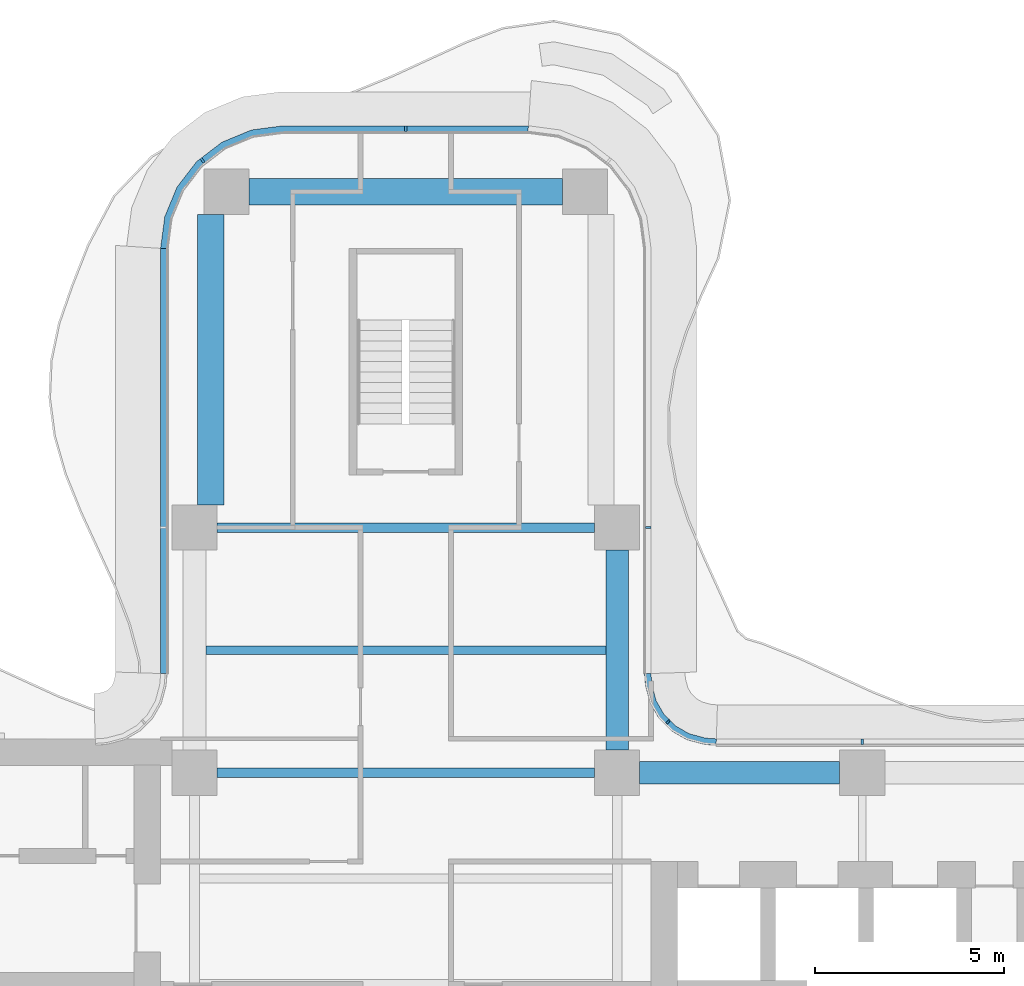
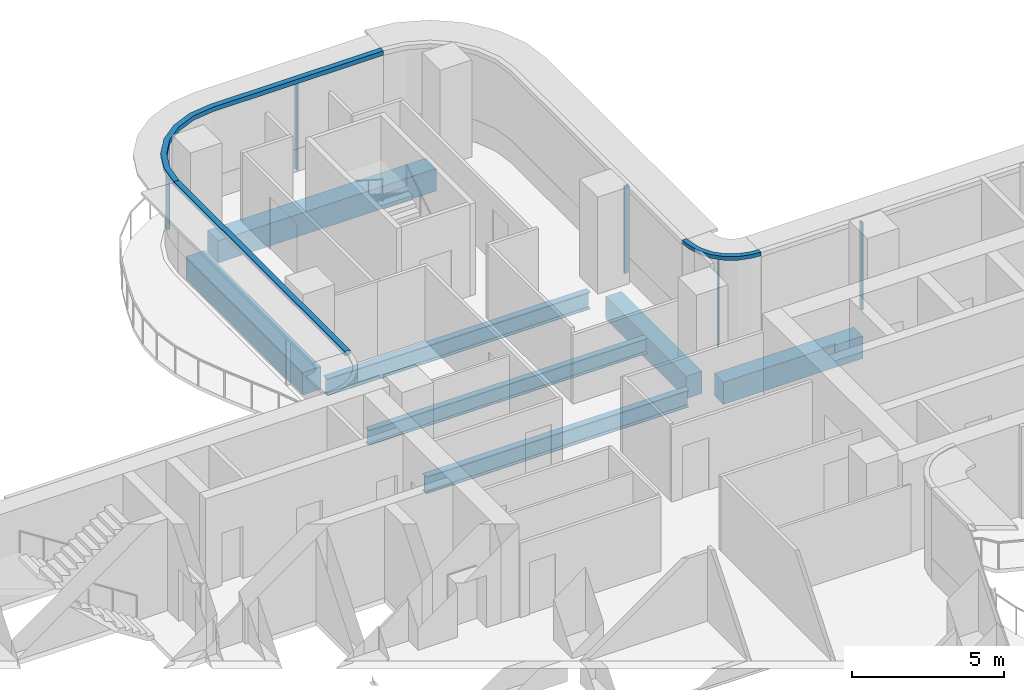
# One storey, part 8 of 19: 8 members, 7 beams, 5 elements without a shape of their own.
"""IFC4 building model written with IfcOpenShell, lengths in metres."""

from ifc_helpers import new_model, si_unit, direction, frame, origin, origin_2d, place, context, subcontext, project, spatial, polyline, rectangle, i_section, outline, extrude, source, transform, mapped, material, layer, layer_set, material_profile, profile_set, type_object, element, aggregate, save


model = new_model("IFC4")

# Units and contexts
model_context = context("Model", 3, precision=1e-05, world=origin(), true_north=direction((0.0, 1.0)))
body_context = subcontext(model_context, "Body", "Model", "MODEL_VIEW")
ifc_project = project(units=[si_unit("LENGTHUNIT", "METRE"), si_unit("AREAUNIT", "SQUARE_METRE"), si_unit("VOLUMEUNIT", "CUBIC_METRE"), si_unit("PLANEANGLEUNIT", "RADIAN"), si_unit("MASSUNIT", "GRAM", prefix="KILO")], contexts=[model_context])

# Site, building, storey
site_placement = place(None, origin())
site = spatial("IfcSite", under=ifc_project, at=site_placement, CompositionType="ELEMENT")
building_placement = place(site_placement, origin())
building = spatial("IfcBuilding", under=site, at=building_placement, Name="Trellis Farm Tower", CompositionType="ELEMENT")
storey_placement = place(building_placement, frame((0.0, 0.0, 197.10009765625)))
storey = spatial("IfcBuildingStorey", under=building, at=storey_placement, Name="L43", CompositionType="ELEMENT", Elevation=197.10009765625)

# Beams
ifc_material_1 = material(Name="Concrete C60/75", Category="concrete")
ifc_material_profile_1 = material_profile(ifc_material_1, rectangle(XDim=0.60009765625, YDim=0.89990234375, at=origin_2d()), Name="RC spandrel beam 600x900 C60/75")
ifc_profile_set_1 = profile_set([ifc_material_profile_1], Name="Concrete C60/75")
beam_type_1 = type_object("IfcBeamType", Name="RC spandrel beam 600x900 C60/75", PredefinedType="SPANDREL", material=ifc_profile_set_1)
shared_shape_1 = source(origin(), body_context, "Body", "SweptSolid", [
    extrude(rectangle(XDim=0.60009765625, YDim=0.89990234375, at=origin_2d()), origin(), (0.0, 0.0, 1.0), 5.300048828125),
])
for number, where, z_axis, x_axis, name in (
    (1, (6.199951171875, 5.60009765625, -0.650146484375), (1.0, 0.0, 0.0), (0.0, 1.0, 0.0), "Girder"),
    (2, (5.60009765625, 6.199951171875, -0.650146484375), (0.0, 1.0, 0.0), (-1.0, 0.0, 0.0), "Girder"),
):
    element("IfcBeam", number, at=place(storey_placement, frame(where, z_axis=z_axis, x_axis=x_axis)), inside=storey, type_object=beam_type_1, Name=name, PredefinedType="SPANDREL", context=body_context, shape_type="MappedRepresentation", body=[
        mapped(shared_shape_1, transform((0.0, 0.0, 0.0))),
    ])
ifc_material_2 = material(Name="Steel S355", Category="steel")
ifc_material_profile_2 = material_profile(ifc_material_2, i_section(OverallWidth=0.253662109375, OverallDepth=0.68359375, WebThickness=0.012451171875, FlangeThickness=0.021728515625, FilletRadius=0.01513671875, at=origin_2d()), Name="UB 686x254x140")
ifc_profile_set_2 = profile_set([ifc_material_profile_2], Name="Steel S355")
beam_type_2 = type_object("IfcBeamType", Name="UB 686x254x140", PredefinedType="BEAM", material=ifc_profile_set_2)
shared_shape_2 = source(origin(), body_context, "Body", "SweptSolid", [
    extrude(i_section(OverallWidth=0.253662109375, OverallDepth=0.68359375, WebThickness=0.012451171875, FlangeThickness=0.021728515625, FilletRadius=0.01513671875, at=origin_2d()), origin(), (0.0, 0.0, 1.0), 10.0),
])
for number, where, z_axis, x_axis, name in (
    (3, (-5.0, 5.60009765625, -0.541748046875), (1.0, 0.0, 0.0), (0.0, 1.0, 0.0), "Girder"),
    (4, (-5.0, 12.10009765625, -0.541748046875), (1.0, 0.0, 0.0), (0.0, 1.0, 0.0), "Girder"),
):
    element("IfcBeam", number, at=place(storey_placement, frame(where, z_axis=z_axis, x_axis=x_axis)), inside=storey, type_object=beam_type_2, Name=name, PredefinedType="BEAM", context=body_context, shape_type="MappedRepresentation", body=[
        mapped(shared_shape_2, transform((0.0, 0.0, 0.0))),
    ])
ifc_material_profile_3 = material_profile(ifc_material_1, rectangle(XDim=0.699951171875, YDim=0.89990234375, at=origin_2d()), Name="RC spandrel beam 700x900 C60/75")
ifc_profile_set_3 = profile_set([ifc_material_profile_3], Name="Concrete C60/75")
beam_type_3 = type_object("IfcBeamType", Name="RC spandrel beam 700x900 C60/75", PredefinedType="SPANDREL", material=ifc_profile_set_3)
shared_shape_3 = source(origin(), body_context, "Body", "SweptSolid", [
    extrude(rectangle(XDim=0.699951171875, YDim=0.89990234375, at=origin_2d()), origin(), (0.0, 0.0, 1.0), 8.2998046875),
])
beam_1_placement = place(storey_placement, frame((-4.14990234375, 21.0, -0.650146484375), z_axis=(1.0, 0.0, 0.0), x_axis=(0.0, 1.0, 0.0)))
element("IfcBeam", 5, at=beam_1_placement, inside=storey, type_object=beam_type_3, Name="Girder", PredefinedType="SPANDREL", context=body_context, shape_type="MappedRepresentation", body=[
    mapped(shared_shape_3, transform((0.0, 0.0, 0.0))),
])
ifc_material_profile_4 = material_profile(ifc_material_2, i_section(OverallWidth=0.22900390625, OverallDepth=0.6123046875, WebThickness=0.011962890625, FlangeThickness=0.01953125, FilletRadius=0.0126953125, at=origin_2d()), Name="UB 610x229x125")
ifc_profile_set_4 = profile_set([ifc_material_profile_4], Name="Steel S355")
beam_type_4 = type_object("IfcBeamType", Name="UB 610x229x125 joist", PredefinedType="JOIST", material=ifc_profile_set_4)
shared_shape_4 = source(origin(), body_context, "Body", "SweptSolid", [
    extrude(i_section(OverallWidth=0.22900390625, OverallDepth=0.6123046875, WebThickness=0.011962890625, FlangeThickness=0.01953125, FilletRadius=0.0126953125, at=origin_2d()), origin(), (0.0, 0.0, 1.0), 10.60009765625),
])
beam_2_placement = place(storey_placement, frame((-5.300048828125, 8.85009765625, -0.506103515625), z_axis=(1.0, 0.0, 0.0), x_axis=(0.0, 1.0, 0.0)))
element("IfcBeam", 6, at=beam_2_placement, inside=storey, type_object=beam_type_4, Name="Floor beam", PredefinedType="JOIST", context=body_context, shape_type="MappedRepresentation", body=[
    mapped(shared_shape_4, transform((0.0, 0.0, 0.0))),
])
shared_shape_5 = source(origin(), body_context, "Body", "SweptSolid", [
    extrude(rectangle(XDim=0.699951171875, YDim=0.89990234375, at=origin_2d()), origin(), (0.0, 0.0, 1.0), 7.699951171875),
])
beam_3_placement = place(storey_placement, frame((-5.175048828125, 12.699951171875, -0.650146484375), z_axis=(0.0, 1.0, 0.0), x_axis=(-1.0, 0.0, 0.0)))
element("IfcBeam", 7, at=beam_3_placement, inside=storey, type_object=beam_type_3, Name="Girder", PredefinedType="SPANDREL", context=body_context, shape_type="MappedRepresentation", body=[
    mapped(shared_shape_5, transform((0.0, 0.0, 0.0))),
])

# Curtain wall, member
ifc_material_3 = material(Name="Aluminium and glass curtain wall", Category="aluminium")
ifc_layer_1 = layer(ifc_material_3, 0.18994140625)
ifc_layer_set_1 = layer_set([ifc_layer_1], Name="RIBBON CURTAIN WALL CW1")
curtain_wall_type_1 = type_object("IfcCurtainWallType", Name="RIBBON CURTAIN WALL CW1", PredefinedType="NOTDEFINED", material=ifc_layer_set_1)
placement_1 = place(storey_placement, origin())
curtain_wall_1 = element("IfcCurtainWall", 8, at=placement_1, inside=storey, type_object=curtain_wall_type_1, Name="CW1 008", PredefinedType="NOTDEFINED")
ifc_material_4 = material(Name="Aluminium extrusion 6063-T6", Category="aluminium")
ifc_material_profile_5 = material_profile(ifc_material_4, rectangle(XDim=0.06005859375, YDim=0.14990234375, at=origin_2d()), Name="MULLION 60x150")
ifc_profile_set_5 = profile_set([ifc_material_profile_5], Name="Aluminium extrusion 6063-T6")
member_type_1 = type_object("IfcMemberType", Name="CW1 MULLION 60x150", PredefinedType="MULLION", material=ifc_profile_set_5)
shared_shape_6 = source(origin(), body_context, "Body", "SweptSolid", [
    extrude(rectangle(XDim=0.06005859375, YDim=0.14990234375, at=origin_2d()), origin(), (0.0, 0.0, 1.0), 3.52001953125),
])
member_1_placement = place(storey_placement, frame((12.10009765625, 6.425048828125, 0.0), z_axis=(0.0, 0.0, 1.0), x_axis=(-1.0, 0.0, 0.0)))
member_1 = element("IfcMember", 9, at=member_1_placement, type_object=member_type_1, Name="MU1 008-02", PredefinedType="MULLION", context=body_context, shape_type="MappedRepresentation", body=[
    mapped(shared_shape_6, transform((0.0, 0.0, 0.0))),
])
aggregate(curtain_wall_1, [member_1])

curtain_wall_2 = element("IfcCurtainWall", 10, at=placement_1, inside=storey, type_object=curtain_wall_type_1, Name="CW1 009", PredefinedType="NOTDEFINED")
member_2_placement = place(storey_placement, frame((6.425048828125, 12.10009765625, 0.0), z_axis=(0.0, 0.0, 1.0), x_axis=(0.0, 1.0, 0.0)))
member_2 = element("IfcMember", 11, at=member_2_placement, type_object=member_type_1, Name="MU1 009-01", PredefinedType="MULLION", context=body_context, shape_type="MappedRepresentation", body=[
    mapped(shared_shape_6, transform((0.0, 0.0, 0.0))),
])
aggregate(curtain_wall_2, [member_2])

# Curtain wall, members
curtain_wall_3 = element("IfcCurtainWall", 12, at=placement_1, inside=storey, type_object=curtain_wall_type_1, Name="CW1 010", PredefinedType="NOTDEFINED")
member_3_placement = place(storey_placement, frame((0.0, 22.675048828125, 0.0), z_axis=(0.0, 0.0, 1.0), x_axis=(-1.0, 0.0, 0.0)))
member_3 = element("IfcMember", 13, at=member_3_placement, type_object=member_type_1, Name="MU1 010-01", PredefinedType="MULLION", context=body_context, shape_type="MappedRepresentation", body=[
    mapped(shared_shape_6, transform((0.0, 0.0, 0.0))),
])
member_4_placement = place(storey_placement, frame((-5.385498046875, 21.828369140625, 0.0), z_axis=(0.0, 0.0, 1.0), x_axis=(-0.793353340291, -0.608761429009, 0.0)))
member_4 = element("IfcMember", 14, at=member_4_placement, type_object=member_type_1, Name="MU1 010-02", PredefinedType="MULLION", context=body_context, shape_type="MappedRepresentation", body=[
    mapped(shared_shape_6, transform((0.0, 0.0, 0.0))),
])

ifc_layer_2 = layer(ifc_material_3, 0.166015625)
ifc_layer_set_2 = layer_set([ifc_layer_2], Name="WINTER GARDEN CURTAIN WALL CW3")
curtain_wall_type_2 = type_object("IfcCurtainWallType", Name="WINTER GARDEN CURTAIN WALL CW3", PredefinedType="NOTDEFINED", material=ifc_layer_set_2)
curtain_wall_4 = element("IfcCurtainWall", 15, at=placement_1, inside=storey, type_object=curtain_wall_type_2, Name="CW3 003", PredefinedType="NOTDEFINED")
ifc_material_profile_6 = material_profile(ifc_material_4, rectangle(XDim=0.050048828125, YDim=0.1201171875, at=origin_2d()), Name="MULLION 50x120")
ifc_profile_set_6 = profile_set([ifc_material_profile_6], Name="Aluminium extrusion 6063-T6")
member_type_2 = type_object("IfcMemberType", Name="CW3 MULLION 50x120", PredefinedType="MULLION", material=ifc_profile_set_6)
shared_shape_7 = source(origin(), body_context, "Body", "SweptSolid", [
    extrude(rectangle(XDim=0.050048828125, YDim=0.1201171875, at=origin_2d()), origin(), (0.0, 0.0, 1.0), 3.5498046875),
])
member_5_placement = place(storey_placement, frame((6.953125, 6.953125, 0.0), z_axis=(0.0, 0.0, 1.0), x_axis=(-0.707106781187, 0.707106781187, 0.0)))
member_5 = element("IfcMember", 16, at=member_5_placement, type_object=member_type_2, Name="MU3 003-01", PredefinedType="MULLION", context=body_context, shape_type="MappedRepresentation", body=[
    mapped(shared_shape_7, transform((0.0, 0.0, 0.0))),
])
ifc_layer_3 = layer(ifc_material_4, 0.169921875)
ifc_layer_set_3 = layer_set([ifc_layer_3], Name="Aluminium extrusion 6063-T6")
member_type_3 = type_object("IfcMemberType", Name="CW3 TRANSOM 170x150", PredefinedType="USERDEFINED", material=ifc_layer_set_3)
shared_shape_8 = source(origin(), body_context, "Body", "SweptSolid", [
    extrude(outline(polyline([(8.2314453125, 6.5), (8.01953125, 6.513916015625), (7.91552734375, 6.527587890625), (7.508544921875, 6.63671875), (7.144287109375, 6.846923828125), (6.846923828125, 7.144287109375), (6.63671875, 7.508544921875), (6.527587890625, 7.91552734375), (6.513916015625, 8.01953125), (6.5, 8.2314453125), (6.330078125, 8.225830078125), (6.3447265625, 8.0029296875), (6.360595703125, 7.88232421875), (6.478271484375, 7.44287109375), (6.7109375, 7.0400390625), (7.0400390625, 6.7109375), (7.44287109375, 6.478271484375), (7.88232421875, 6.360595703125), (8.0029296875, 6.3447265625), (8.225830078125, 6.330078125), (8.2314453125, 6.5)])), origin(), (0.0, 0.0, 1.0), 0.150146484375),
])
member_6_placement = place(storey_placement, frame((0.0, 0.0, 3.5498046875)))
member_6 = element("IfcMember", 17, at=member_6_placement, type_object=member_type_3, Name="TR3 003", ObjectType="TRANSOM", PredefinedType="USERDEFINED", context=body_context, shape_type="MappedRepresentation", body=[
    mapped(shared_shape_8, transform((0.0, 0.0, 0.0))),
])
aggregate(curtain_wall_4, [member_5, member_6])

# Member
ifc_layer_4 = layer(ifc_material_4, 0.199951171875)
ifc_layer_set_4 = layer_set([ifc_layer_4], Name="Aluminium extrusion 6063-T6")
member_type_4 = type_object("IfcMemberType", Name="CW1 TRANSOM 200x180", PredefinedType="USERDEFINED", material=ifc_layer_set_4)
shared_shape_9 = source(origin(), body_context, "Body", "SweptSolid", [
    extrude(outline(polyline([(3.25, 22.75), (-3.25, 22.75), (-4.091064453125, 22.63916015625), (-4.875, 22.314697265625), (-5.548095703125, 21.798095703125), (-6.064697265625, 21.125), (-6.38916015625, 20.341064453125), (-6.5, 19.5), (-6.300048828125, 19.48681640625), (-6.1943359375, 20.2890625), (-5.889892578125, 21.024169921875), (-5.405517578125, 21.655517578125), (-4.774169921875, 22.139892578125), (-4.0390625, 22.4443359375), (-3.23681640625, 22.550048828125), (3.23681640625, 22.550048828125), (3.25, 22.75)])), origin(), (0.0, 0.0, 1.0), 0.179931640625),
])
placement_2 = place(storey_placement, frame((0.0, 0.0, 3.52001953125)))
member_7 = element("IfcMember", 18, at=placement_2, type_object=member_type_4, Name="TR1 010", ObjectType="TRANSOM", PredefinedType="USERDEFINED", context=body_context, shape_type="MappedRepresentation", body=[
    mapped(shared_shape_9, transform((0.0, 0.0, 0.0))),
])

aggregate(curtain_wall_3, [member_3, member_4, member_7])

# Curtain wall, member
curtain_wall_5 = element("IfcCurtainWall", 19, at=placement_1, inside=storey, type_object=curtain_wall_type_1, Name="CW1 011", PredefinedType="NOTDEFINED")
shared_shape_10 = source(origin(), body_context, "Body", "SweptSolid", [
    extrude(outline(polyline([(-6.5, 19.5), (-6.5, 8.2314453125), (-6.300048828125, 8.224853515625), (-6.300048828125, 19.48681640625), (-6.5, 19.5)])), origin(), (0.0, 0.0, 1.0), 0.179931640625),
])
member_8 = element("IfcMember", 20, at=placement_2, type_object=member_type_4, Name="TR1 011", ObjectType="TRANSOM", PredefinedType="USERDEFINED", context=body_context, shape_type="MappedRepresentation", body=[
    mapped(shared_shape_10, transform((0.0, 0.0, 0.0))),
])
aggregate(curtain_wall_5, [member_8])

save(model, "model.ifc")
